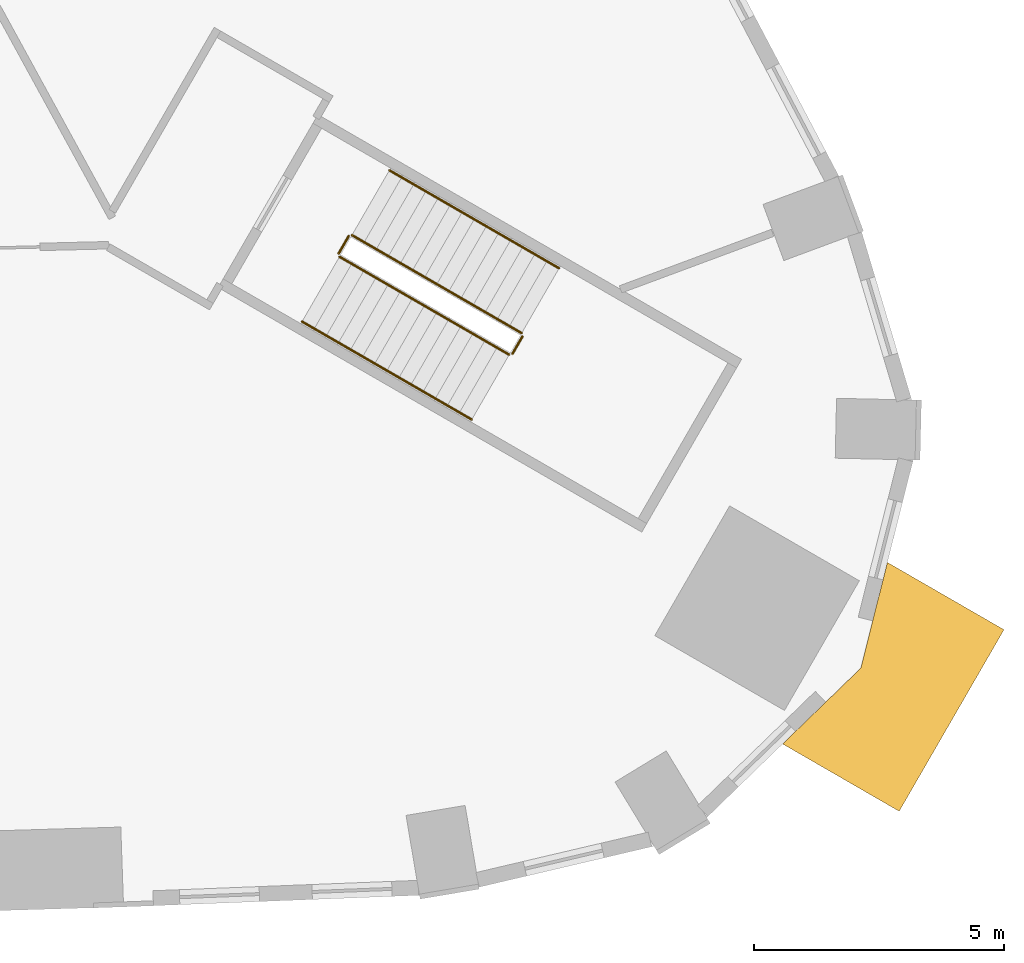
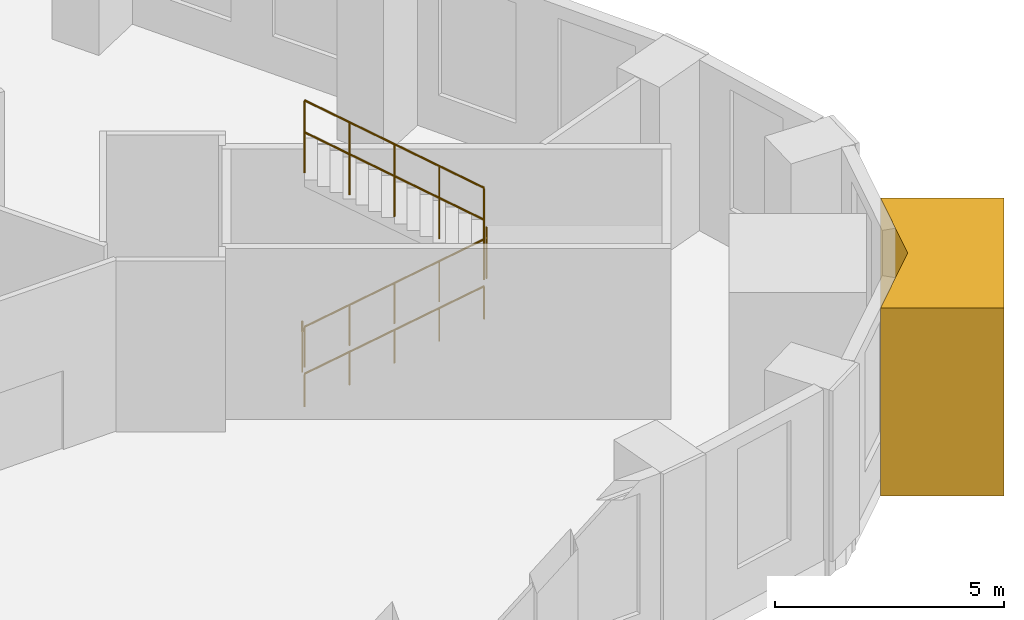
# One storey, part 15 of 16: 6 railings, 1 covering.
"""IFC4 building model written with IfcOpenShell, lengths in metres."""

from ifc_helpers import new_model, si_unit, direction, frame, origin, origin_2d, place, context, subcontext, project, spatial, polyline, circle, outline, extrude, material, type_object, element, save


model = new_model("IFC4")

# Units and contexts
model_context = context("Model", 3, precision=1e-05, world=origin(), true_north=direction((0.0, 1.0)))
body_context = subcontext(model_context, "Body", "Model", "MODEL_VIEW")
ifc_project = project(units=[si_unit("LENGTHUNIT", "METRE"), si_unit("AREAUNIT", "SQUARE_METRE"), si_unit("VOLUMEUNIT", "CUBIC_METRE"), si_unit("PLANEANGLEUNIT", "RADIAN"), si_unit("MASSUNIT", "GRAM", prefix="KILO")], contexts=[model_context])

# Site, building, storey
site_placement = place(None, origin())
site = spatial("IfcSite", under=ifc_project, at=site_placement, CompositionType="ELEMENT")
building_placement = place(site_placement, origin())
building = spatial("IfcBuilding", under=site, at=building_placement, Name="Entoto Arch Interchange Tower", CompositionType="ELEMENT")
storey_placement = place(building_placement, frame((0.0, 0.0, 15.0)))
storey = spatial("IfcBuildingStorey", under=building, at=storey_placement, Name="L02", CompositionType="ELEMENT", Elevation=15.0)

# Covering
ifc_material_1 = material(Name="Board-marked precast concrete C50/60", Category="concrete")
covering_type = type_object("IfcCoveringType", Name="PRECAST FRAME COURSE", PredefinedType="CLADDING", material=ifc_material_1)
covering_placement = place(storey_placement, frame((0.0, 0.0, -0.449951171875)))
element("IfcCovering", 1, at=covering_placement, inside=storey, type_object=covering_type, Name="Podium corner pier SE L02", PredefinedType="CLADDING", context=body_context, shape_type="SweptSolid", body=[
    extrude(outline(polyline([(41.916015625, -26.625), (39.580078125, -25.27587890625), (41.14697265625, -23.756103515625), (41.679931640625, -21.638916015625), (44.01611328125, -22.987060546875), (41.916015625, -26.625)])), origin(), (0.0, 0.0, 1.0), 5.0),
])

# Railings
ifc_material_2 = material(Name="Stainless steel 1.4301", Category="steel")
railing_type_1 = type_object("IfcRailingType", Name="STAIR GUARD 1100 STEEL", PredefinedType="GUARDRAIL", material=ifc_material_2)
railing_1_placement = place(storey_placement, frame((30.70556640625, -15.516357421875, 0.166748046875)))
element("IfcRailing", 2, at=railing_1_placement, inside=storey, type_object=railing_type_1, Name="L02 PST-SE stair guard 1", PredefinedType="GUARDRAIL", context=body_context, shape_type="SweptSolid", body=[
    extrude(circle(Radius=0.02392578125, at=origin_2d()), frame((0.0, 0.0, 1.076171875), z_axis=(0.744157560544, -0.429690115326, 0.511464495226), x_axis=(0.500044117093, 0.865999931271, 0.0)), (0.0, 0.0, 1.0), 4.56201171875),
    extrude(circle(Radius=0.02099609375, at=origin_2d()), origin(), (0.0, 0.0, 1.0), 1.052001953125),
    extrude(circle(Radius=0.02099609375, at=origin_2d()), frame((0.8486328125, -0.489990234375, 0.583251953125)), (0.0, 0.0, 1.0), 1.052001953125),
    extrude(circle(Radius=0.02099609375, at=origin_2d()), frame((1.697265625, -0.97998046875, 1.16650390625)), (0.0, 0.0, 1.0), 1.052001953125),
    extrude(circle(Radius=0.02099609375, at=origin_2d()), frame((2.546142578125, -1.47021484375, 1.75)), (0.0, 0.0, 1.0), 1.052001953125),
    extrude(circle(Radius=0.02099609375, at=origin_2d()), frame((3.394775390625, -1.960205078125, 2.333251953125)), (0.0, 0.0, 1.0), 1.052001953125),
])
railing_2_placement = place(storey_placement, frame((34.168701171875, -17.458251953125, 2.5)))
element("IfcRailing", 3, at=railing_2_placement, inside=storey, type_object=railing_type_1, Name="L02 PST-SE stair guard 2", PredefinedType="GUARDRAIL", context=body_context, shape_type="SweptSolid", body=[
    extrude(circle(Radius=0.02392578125, at=origin_2d()), frame((0.0, 0.0, 1.076171875), z_axis=(0.499880961361, 0.866094119867, 0.0), x_axis=(-0.866094119867, 0.499880961361, 0.0)), (0.0, 0.0, 1.0), 0.39990234375),
    extrude(circle(Radius=0.02099609375, at=origin_2d()), origin(), (0.0, 0.0, 1.0), 1.052001953125),
    extrude(circle(Radius=0.02099609375, at=origin_2d()), frame((0.199951171875, 0.346435546875, 0.0)), (0.0, 0.0, 1.0), 1.052001953125),
])
railing_3_placement = place(storey_placement, frame((34.350341796875, -17.04345703125, 2.666748046875)))
element("IfcRailing", 4, at=railing_3_placement, inside=storey, type_object=railing_type_1, Name="L02 PST-SE stair guard 3", PredefinedType="GUARDRAIL", context=body_context, shape_type="SweptSolid", body=[
    extrude(circle(Radius=0.02392578125, at=origin_2d()), frame((0.0, 0.0, 1.076171875), z_axis=(-0.744174672596, 0.429646477641, 0.511476256455), x_axis=(-0.499997407846, -0.86602690036, 0.0)), (0.0, 0.0, 1.0), 4.561767578125),
    extrude(circle(Radius=0.02099609375, at=origin_2d()), origin(), (0.0, 0.0, 1.0), 1.052001953125),
    extrude(circle(Radius=0.02099609375, at=origin_2d()), frame((-0.8486328125, 0.489990234375, 0.583251953125)), (0.0, 0.0, 1.0), 1.052001953125),
    extrude(circle(Radius=0.02099609375, at=origin_2d()), frame((-1.697265625, 0.97998046875, 1.16650390625)), (0.0, 0.0, 1.0), 1.052001953125),
    extrude(circle(Radius=0.02099609375, at=origin_2d()), frame((-2.546142578125, 1.469970703125, 1.75)), (0.0, 0.0, 1.0), 1.052001953125),
    extrude(circle(Radius=0.02099609375, at=origin_2d()), frame((-3.394775390625, 1.9599609375, 2.333251953125)), (0.0, 0.0, 1.0), 1.052001953125),
])
railing_4_placement = place(storey_placement, frame((30.687255859375, -15.4482421875, 0.0)))
element("IfcRailing", 5, at=railing_4_placement, inside=storey, type_object=railing_type_1, Name="L02 PST-SE stair guard 4", PredefinedType="GUARDRAIL", context=body_context, shape_type="SweptSolid", body=[
    extrude(circle(Radius=0.02392578125, at=origin_2d()), frame((0.0, 0.0, 1.076171875), z_axis=(0.499880961361, 0.866094119867, 0.0), x_axis=(-0.866094119867, 0.499880961361, 0.0)), (0.0, 0.0, 1.0), 0.39990234375),
    extrude(circle(Radius=0.02099609375, at=origin_2d()), origin(), (0.0, 0.0, 1.0), 1.052001953125),
    extrude(circle(Radius=0.02099609375, at=origin_2d()), frame((0.199951171875, 0.346435546875, 0.0)), (0.0, 0.0, 1.0), 1.052001953125),
])
railing_type_2 = type_object("IfcRailingType", Name="STAIR HANDRAIL 900 STEEL", PredefinedType="HANDRAIL", material=ifc_material_2)
railing_5_placement = place(storey_placement, frame((29.95556640625, -16.8154296875, 0.166748046875)))
element("IfcRailing", 6, at=railing_5_placement, inside=storey, type_object=railing_type_2, Name="L02 PST-SE stair handrail 1", PredefinedType="HANDRAIL", context=body_context, shape_type="SweptSolid", body=[
    extrude(circle(Radius=0.02392578125, at=origin_2d()), frame((0.0, 0.0, 0.8759765625), z_axis=(0.744174672596, -0.429646477641, 0.511476256455), x_axis=(0.499997407846, 0.86602690036, 0.0)), (0.0, 0.0, 1.0), 4.561767578125),
    extrude(circle(Radius=0.02099609375, at=origin_2d()), origin(), (0.0, 0.0, 1.0), 0.851806640625),
    extrude(circle(Radius=0.02099609375, at=origin_2d()), frame((0.8486328125, -0.489990234375, 0.583251953125)), (0.0, 0.0, 1.0), 0.851806640625),
    extrude(circle(Radius=0.02099609375, at=origin_2d()), frame((1.697265625, -0.97998046875, 1.16650390625)), (0.0, 0.0, 1.0), 0.851806640625),
    extrude(circle(Radius=0.02099609375, at=origin_2d()), frame((2.546142578125, -1.469970703125, 1.75)), (0.0, 0.0, 1.0), 0.851806640625),
    extrude(circle(Radius=0.02099609375, at=origin_2d()), frame((3.394775390625, -1.9599609375, 2.333251953125)), (0.0, 0.0, 1.0), 0.851806640625),
])
railing_6_placement = place(storey_placement, frame((35.100341796875, -15.744384765625, 2.666748046875)))
element("IfcRailing", 7, at=railing_6_placement, inside=storey, type_object=railing_type_2, Name="L02 PST-SE stair handrail 2", PredefinedType="HANDRAIL", context=body_context, shape_type="SweptSolid", body=[
    extrude(circle(Radius=0.02392578125, at=origin_2d()), frame((0.0, 0.0, 0.8759765625), z_axis=(-0.744174672596, 0.429646477641, 0.511476256455), x_axis=(-0.499997407846, -0.86602690036, 0.0)), (0.0, 0.0, 1.0), 4.561767578125),
    extrude(circle(Radius=0.02099609375, at=origin_2d()), origin(), (0.0, 0.0, 1.0), 0.851806640625),
    extrude(circle(Radius=0.02099609375, at=origin_2d()), frame((-0.8486328125, 0.489990234375, 0.583251953125)), (0.0, 0.0, 1.0), 0.851806640625),
    extrude(circle(Radius=0.02099609375, at=origin_2d()), frame((-1.697265625, 0.97998046875, 1.16650390625)), (0.0, 0.0, 1.0), 0.851806640625),
    extrude(circle(Radius=0.02099609375, at=origin_2d()), frame((-2.546142578125, 1.469970703125, 1.75)), (0.0, 0.0, 1.0), 0.851806640625),
    extrude(circle(Radius=0.02099609375, at=origin_2d()), frame((-3.394775390625, 1.9599609375, 2.333251953125)), (0.0, 0.0, 1.0), 0.851806640625),
])

save(model, "model.ifc")
